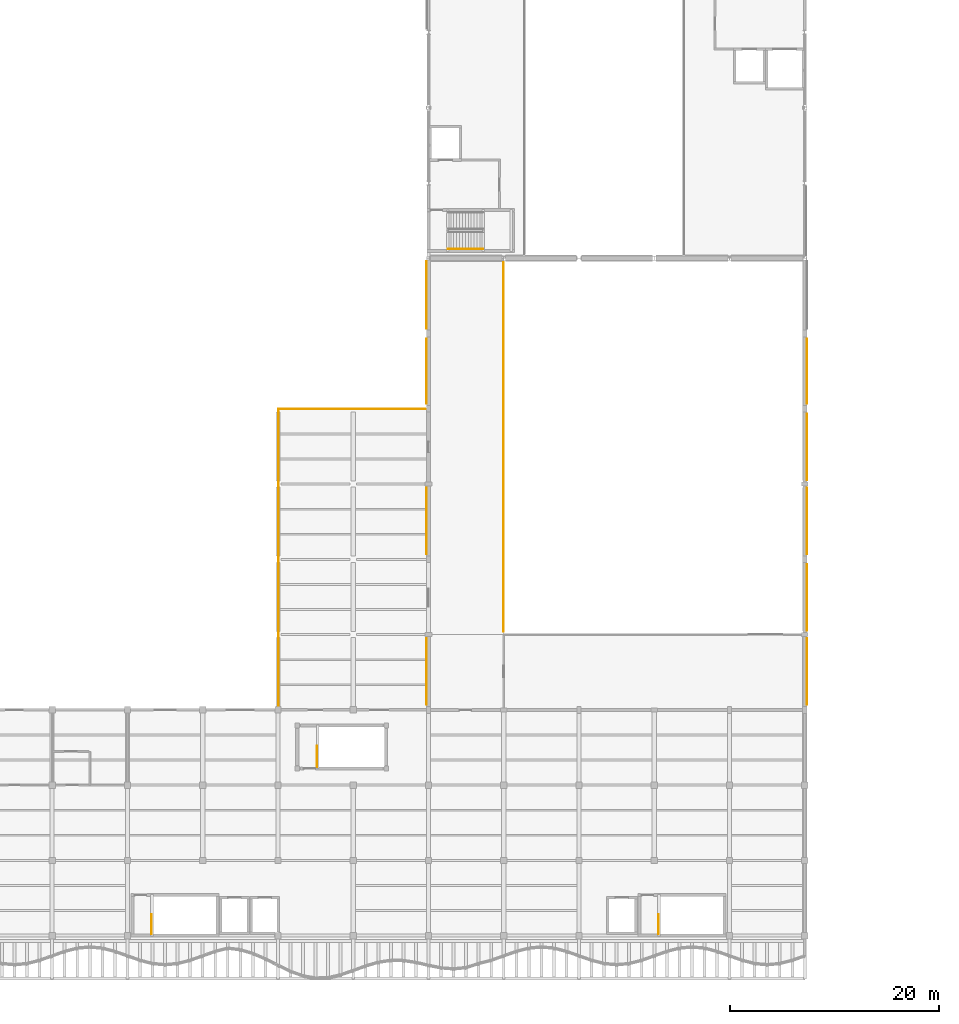
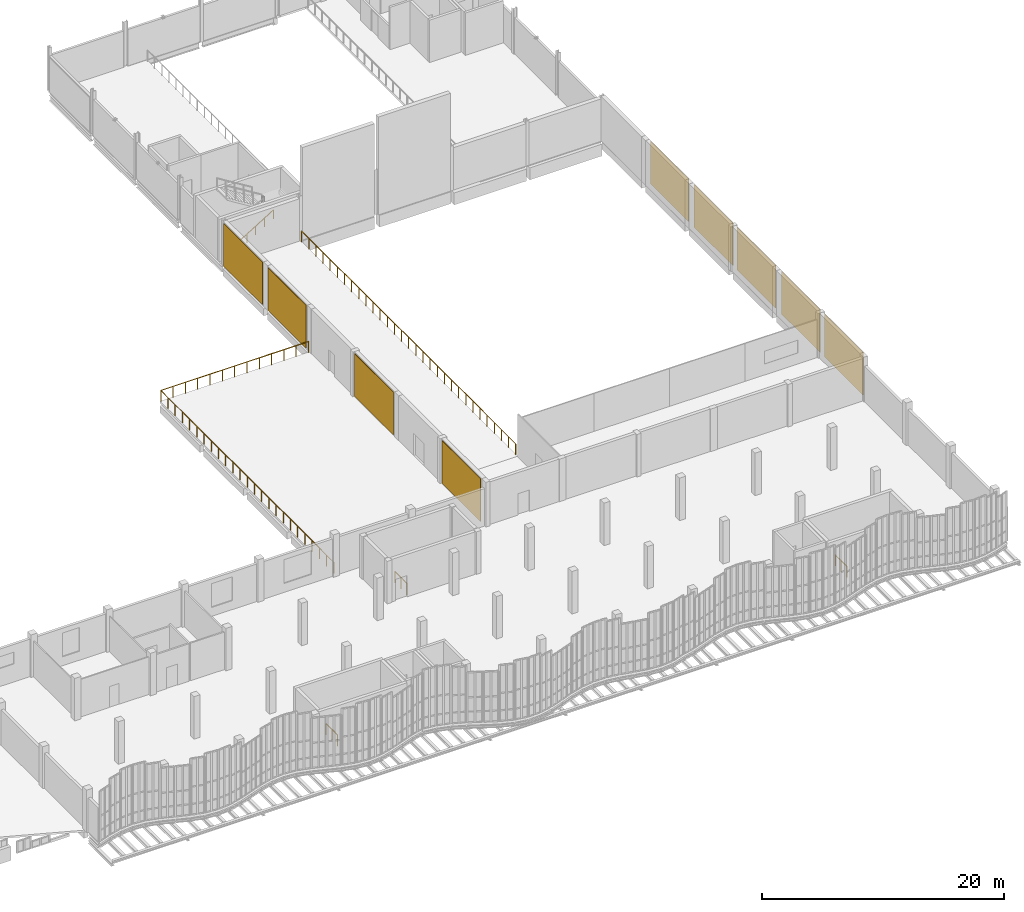
# One storey, part 71 of 76: 9 coverings, 6 railings.
"""IFC4 building model written with IfcOpenShell, lengths in metres."""

from ifc_helpers import new_model, si_unit, direction, frame, origin, origin_2d, place, context, subcontext, project, spatial, rectangle, circle, extrude, material, layer, layer_set, type_object, element, save


model = new_model("IFC4")

# Units and contexts
model_context = context("Model", 3, precision=1e-05, world=origin(), true_north=direction((0.0, 1.0)))
body_context = subcontext(model_context, "Body", "Model", "MODEL_VIEW")
ifc_project = project(units=[si_unit("LENGTHUNIT", "METRE"), si_unit("AREAUNIT", "SQUARE_METRE"), si_unit("VOLUMEUNIT", "CUBIC_METRE"), si_unit("PLANEANGLEUNIT", "RADIAN"), si_unit("MASSUNIT", "GRAM", prefix="KILO"), si_unit("THERMODYNAMICTEMPERATUREUNIT", "KELVIN"), si_unit("POWERUNIT", "WATT")], contexts=[model_context])

# Site, building, storey
site_placement = place(None, origin())
site = spatial("IfcSite", under=ifc_project, at=site_placement, CompositionType="ELEMENT")
building_placement = place(site_placement, origin())
building = spatial("IfcBuilding", under=site, at=building_placement, Name="Kaldorven Railside Theatre", CompositionType="ELEMENT")
storey_placement = place(building_placement, frame((0.0, 0.0, 14.39990234375)))
storey = spatial("IfcBuildingStorey", under=building, at=storey_placement, Name="L03", CompositionType="ELEMENT", Elevation=14.39990234375)

# Coverings
ifc_material_1 = material(Name="Bush-hammered precast concrete C40/50", Category="concrete")
ifc_layer = layer(ifc_material_1, 0.050048828125, Name="Bush-hammered precast concrete C40/50")
ifc_layer_set = layer_set([ifc_layer], Name="Bush-hammered precast concrete C40/50")
covering_type = type_object("IfcCoveringType", Name="COV-CLD-01", PredefinedType="CLADDING", material=ifc_layer_set)
for number, where, z_axis, x_axis, name in (
    (1, (86.989013671875, 44.46240234375, 0.10009765625), (0.0, 0.0, 1.0), (0.0, 1.0, 0.0), "Bush-Hammered Laterite Rainscreen Panel CLD-019"),
    (2, (86.989013671875, 58.862548828125, 0.10009765625), (0.0, 0.0, 1.0), (0.0, 1.0, 0.0), "Bush-Hammered Laterite Rainscreen Panel CLD-020"),
):
    element("IfcCovering", number, at=place(storey_placement, frame(where, z_axis=z_axis, x_axis=x_axis)), inside=storey, type_object=covering_type, Name=name, PredefinedType="CLADDING", context=body_context, shape_type="SweptSolid", body=[
        extrude(rectangle(XDim=6.375, YDim=0.050048828125, at=origin_2d()), origin(), (0.0, 0.0, 1.0), 4.300048828125),
    ])
covering_1_placement = place(storey_placement, frame((86.989013671875, 73.199951171875, 0.10009765625), z_axis=(0.0, 0.0, 1.0), x_axis=(0.0, 1.0, 0.0)))
element("IfcCovering", 3, at=covering_1_placement, inside=storey, type_object=covering_type, Name="Bush-Hammered Laterite Rainscreen Panel CLD-021", PredefinedType="CLADDING", context=body_context, shape_type="SweptSolid", body=[
    extrude(rectangle(XDim=6.25, YDim=0.050048828125, at=origin_2d()), origin(), (0.0, 0.0, 1.0), 4.300048828125),
])
covering_2_placement = place(storey_placement, frame((86.989013671875, 80.485107421875, 0.10009765625), z_axis=(0.0, 0.0, 1.0), x_axis=(0.0, 1.0, 0.0)))
element("IfcCovering", 4, at=covering_2_placement, inside=storey, type_object=covering_type, Name="Bush-Hammered Laterite Rainscreen Panel CLD-022", PredefinedType="CLADDING", context=body_context, shape_type="SweptSolid", body=[
    extrude(rectangle(XDim=6.419921875, YDim=0.050048828125, at=origin_2d()), origin(), (0.0, 0.0, 1.0), 4.300048828125),
])
covering_3_placement = place(storey_placement, frame((123.410888671875, 73.199951171875, 0.10009765625), z_axis=(0.0, 0.0, 1.0), x_axis=(0.0, -1.0, 0.0)))
element("IfcCovering", 5, at=covering_3_placement, inside=storey, type_object=covering_type, Name="Bush-Hammered Laterite Rainscreen Panel CLD-024", PredefinedType="CLADDING", context=body_context, shape_type="SweptSolid", body=[
    extrude(rectangle(XDim=6.25, YDim=0.050048828125, at=origin_2d()), origin(), (0.0, 0.0, 1.0), 4.300048828125),
])
for number, where, z_axis, x_axis, name in (
    (6, (123.410888671875, 65.9375, 0.10009765625), (0.0, 0.0, 1.0), (0.0, -1.0, 0.0), "Bush-Hammered Laterite Rainscreen Panel CLD-025"),
    (7, (123.410888671875, 58.862548828125, 0.10009765625), (0.0, 0.0, 1.0), (0.0, -1.0, 0.0), "Bush-Hammered Laterite Rainscreen Panel CLD-026"),
    (8, (123.410888671875, 51.53759765625, 0.10009765625), (0.0, 0.0, 1.0), (0.0, -1.0, 0.0), "Bush-Hammered Laterite Rainscreen Panel CLD-027"),
    (9, (123.410888671875, 44.46240234375, 0.10009765625), (0.0, 0.0, 1.0), (0.0, -1.0, 0.0), "Bush-Hammered Laterite Rainscreen Panel CLD-028"),
):
    element("IfcCovering", number, at=place(storey_placement, frame(where, z_axis=z_axis, x_axis=x_axis)), inside=storey, type_object=covering_type, Name=name, PredefinedType="CLADDING", context=body_context, shape_type="SweptSolid", body=[
        extrude(rectangle(XDim=6.375, YDim=0.050048828125, at=origin_2d()), origin(), (0.0, 0.0, 1.0), 4.300048828125),
    ])

# Railings
ifc_material_2 = material(Name="Anodised bronze aluminium", Category="aluminium")
railing_type_1 = type_object("IfcRailingType", Name="RLG-BAL-1100", PredefinedType="BALUSTRADE", material=ifc_material_2)
railing_1_placement = place(storey_placement, frame((72.840087890625, 41.026123046875, 0.0)))
element("IfcRailing", 10, at=railing_1_placement, inside=storey, type_object=railing_type_1, Name="L03 Safety Balustrade GR-124", PredefinedType="BALUSTRADE", context=body_context, shape_type="SweptSolid", body=[
    extrude(circle(Radius=0.02392578125, at=origin_2d()), frame((0.0, 0.0, 1.09619140625), z_axis=(0.0, 1.0, 0.0), x_axis=(-1.0, 0.0, 0.0)), (0.0, 0.0, 1.0), 28.533935546875),
    extrude(circle(Radius=0.02392578125, at=origin_2d()), frame((0.0, 28.533935546875, 1.09619140625), z_axis=(1.0, 0.0, 0.0), x_axis=(0.0, 1.0, 0.0)), (0.0, 0.0, 1.0), 14.0654296875),
    extrude(circle(Radius=0.02099609375, at=origin_2d()), origin(), (0.0, 0.0, 1.0), 1.072021484375),
    extrude(circle(Radius=0.02099609375, at=origin_2d()), frame((0.0, 1.18896484375, 0.0)), (0.0, 0.0, 1.0), 1.072021484375),
    extrude(circle(Radius=0.02099609375, at=origin_2d()), frame((0.0, 2.3779296875, 0.0)), (0.0, 0.0, 1.0), 1.072021484375),
    extrude(circle(Radius=0.02099609375, at=origin_2d()), frame((0.0, 3.566650390625, 0.0)), (0.0, 0.0, 1.0), 1.072021484375),
    extrude(circle(Radius=0.02099609375, at=origin_2d()), frame((0.0, 4.755615234375, 0.0)), (0.0, 0.0, 1.0), 1.072021484375),
    extrude(circle(Radius=0.02099609375, at=origin_2d()), frame((0.0, 5.944580078125, 0.0)), (0.0, 0.0, 1.0), 1.072021484375),
    extrude(circle(Radius=0.02099609375, at=origin_2d()), frame((0.0, 7.133544921875, 0.0)), (0.0, 0.0, 1.0), 1.072021484375),
    extrude(circle(Radius=0.02099609375, at=origin_2d()), frame((0.0, 8.322509765625, 0.0)), (0.0, 0.0, 1.0), 1.072021484375),
    extrude(circle(Radius=0.02099609375, at=origin_2d()), frame((0.0, 9.51123046875, 0.0)), (0.0, 0.0, 1.0), 1.072021484375),
    extrude(circle(Radius=0.02099609375, at=origin_2d()), frame((0.0, 10.7001953125, 0.0)), (0.0, 0.0, 1.0), 1.072021484375),
    extrude(circle(Radius=0.02099609375, at=origin_2d()), frame((0.0, 11.88916015625, 0.0)), (0.0, 0.0, 1.0), 1.072021484375),
    extrude(circle(Radius=0.02099609375, at=origin_2d()), frame((0.0, 13.078125, 0.0)), (0.0, 0.0, 1.0), 1.072021484375),
    extrude(circle(Radius=0.02099609375, at=origin_2d()), frame((0.0, 14.26708984375, 0.0)), (0.0, 0.0, 1.0), 1.072021484375),
    extrude(circle(Radius=0.02099609375, at=origin_2d()), frame((0.0, 15.455810546875, 0.0)), (0.0, 0.0, 1.0), 1.072021484375),
    extrude(circle(Radius=0.02099609375, at=origin_2d()), frame((0.0, 16.644775390625, 0.0)), (0.0, 0.0, 1.0), 1.072021484375),
    extrude(circle(Radius=0.02099609375, at=origin_2d()), frame((0.0, 17.833740234375, 0.0)), (0.0, 0.0, 1.0), 1.072021484375),
    extrude(circle(Radius=0.02099609375, at=origin_2d()), frame((0.0, 19.022705078125, 0.0)), (0.0, 0.0, 1.0), 1.072021484375),
    extrude(circle(Radius=0.02099609375, at=origin_2d()), frame((0.0, 20.21142578125, 0.0)), (0.0, 0.0, 1.0), 1.072021484375),
    extrude(circle(Radius=0.02099609375, at=origin_2d()), frame((0.0, 21.400390625, 0.0)), (0.0, 0.0, 1.0), 1.072021484375),
    extrude(circle(Radius=0.02099609375, at=origin_2d()), frame((0.0, 22.58935546875, 0.0)), (0.0, 0.0, 1.0), 1.072021484375),
    extrude(circle(Radius=0.02099609375, at=origin_2d()), frame((0.0, 23.7783203125, 0.0)), (0.0, 0.0, 1.0), 1.072021484375),
    extrude(circle(Radius=0.02099609375, at=origin_2d()), frame((0.0, 24.96728515625, 0.0)), (0.0, 0.0, 1.0), 1.072021484375),
    extrude(circle(Radius=0.02099609375, at=origin_2d()), frame((0.0, 26.156005859375, 0.0)), (0.0, 0.0, 1.0), 1.072021484375),
    extrude(circle(Radius=0.02099609375, at=origin_2d()), frame((0.0, 27.344970703125, 0.0)), (0.0, 0.0, 1.0), 1.072021484375),
    extrude(circle(Radius=0.02099609375, at=origin_2d()), frame((0.0, 28.533935546875, 0.0)), (0.0, 0.0, 1.0), 1.072021484375),
    extrude(circle(Radius=0.02099609375, at=origin_2d()), frame((1.172119140625, 28.533935546875, 0.0)), (0.0, 0.0, 1.0), 1.072021484375),
    extrude(circle(Radius=0.02099609375, at=origin_2d()), frame((2.34423828125, 28.533935546875, 0.0)), (0.0, 0.0, 1.0), 1.072021484375),
    extrude(circle(Radius=0.02099609375, at=origin_2d()), frame((3.516357421875, 28.533935546875, 0.0)), (0.0, 0.0, 1.0), 1.072021484375),
    extrude(circle(Radius=0.02099609375, at=origin_2d()), frame((4.6884765625, 28.533935546875, 0.0)), (0.0, 0.0, 1.0), 1.072021484375),
    extrude(circle(Radius=0.02099609375, at=origin_2d()), frame((5.860595703125, 28.533935546875, 0.0)), (0.0, 0.0, 1.0), 1.072021484375),
    extrude(circle(Radius=0.02099609375, at=origin_2d()), frame((7.03271484375, 28.533935546875, 0.0)), (0.0, 0.0, 1.0), 1.072021484375),
    extrude(circle(Radius=0.02099609375, at=origin_2d()), frame((8.204833984375, 28.533935546875, 0.0)), (0.0, 0.0, 1.0), 1.072021484375),
    extrude(circle(Radius=0.02099609375, at=origin_2d()), frame((9.376953125, 28.533935546875, 0.0)), (0.0, 0.0, 1.0), 1.072021484375),
    extrude(circle(Radius=0.02099609375, at=origin_2d()), frame((10.549072265625, 28.533935546875, 0.0)), (0.0, 0.0, 1.0), 1.072021484375),
    extrude(circle(Radius=0.02099609375, at=origin_2d()), frame((11.72119140625, 28.533935546875, 0.0)), (0.0, 0.0, 1.0), 1.072021484375),
    extrude(circle(Radius=0.02099609375, at=origin_2d()), frame((12.893310546875, 28.533935546875, 0.0)), (0.0, 0.0, 1.0), 1.072021484375),
    extrude(circle(Radius=0.02099609375, at=origin_2d()), frame((14.0654296875, 28.533935546875, 0.0)), (0.0, 0.0, 1.0), 1.072021484375),
])
railing_2_placement = place(storey_placement, frame((94.360107421875, 83.59521484375, 0.0)))
element("IfcRailing", 11, at=railing_2_placement, inside=storey, type_object=railing_type_1, Name="L03 Safety Balustrade GR-126", PredefinedType="BALUSTRADE", context=body_context, shape_type="SweptSolid", body=[
    extrude(circle(Radius=0.02392578125, at=origin_2d()), frame((0.0, 0.0, 1.09619140625), z_axis=(0.0, -1.0, 0.0), x_axis=(1.0, 0.0, 0.0)), (0.0, 0.0, 1.0), 35.318359375),
    extrude(circle(Radius=0.02099609375, at=origin_2d()), origin(), (0.0, 0.0, 1.0), 1.072021484375),
    extrude(circle(Radius=0.02099609375, at=origin_2d()), frame((0.0, -1.17724609375, 0.0)), (0.0, 0.0, 1.0), 1.072021484375),
    extrude(circle(Radius=0.02099609375, at=origin_2d()), frame((0.0, -2.3544921875, 0.0)), (0.0, 0.0, 1.0), 1.072021484375),
    extrude(circle(Radius=0.02099609375, at=origin_2d()), frame((0.0, -3.53173828125, 0.0)), (0.0, 0.0, 1.0), 1.072021484375),
    extrude(circle(Radius=0.02099609375, at=origin_2d()), frame((0.0, -4.709228515625, 0.0)), (0.0, 0.0, 1.0), 1.072021484375),
    extrude(circle(Radius=0.02099609375, at=origin_2d()), frame((0.0, -5.886474609375, 0.0)), (0.0, 0.0, 1.0), 1.072021484375),
    extrude(circle(Radius=0.02099609375, at=origin_2d()), frame((0.0, -7.063720703125, 0.0)), (0.0, 0.0, 1.0), 1.072021484375),
    extrude(circle(Radius=0.02099609375, at=origin_2d()), frame((0.0, -8.240966796875, 0.0)), (0.0, 0.0, 1.0), 1.072021484375),
    extrude(circle(Radius=0.02099609375, at=origin_2d()), frame((0.0, -9.418212890625, 0.0)), (0.0, 0.0, 1.0), 1.072021484375),
    extrude(circle(Radius=0.02099609375, at=origin_2d()), frame((0.0, -10.595458984375, 0.0)), (0.0, 0.0, 1.0), 1.072021484375),
    extrude(circle(Radius=0.02099609375, at=origin_2d()), frame((0.0, -11.772705078125, 0.0)), (0.0, 0.0, 1.0), 1.072021484375),
    extrude(circle(Radius=0.02099609375, at=origin_2d()), frame((0.0, -12.949951171875, 0.0)), (0.0, 0.0, 1.0), 1.072021484375),
    extrude(circle(Radius=0.02099609375, at=origin_2d()), frame((0.0, -14.12744140625, 0.0)), (0.0, 0.0, 1.0), 1.072021484375),
    extrude(circle(Radius=0.02099609375, at=origin_2d()), frame((0.0, -15.3046875, 0.0)), (0.0, 0.0, 1.0), 1.072021484375),
    extrude(circle(Radius=0.02099609375, at=origin_2d()), frame((0.0, -16.48193359375, 0.0)), (0.0, 0.0, 1.0), 1.072021484375),
    extrude(circle(Radius=0.02099609375, at=origin_2d()), frame((0.0, -17.6591796875, 0.0)), (0.0, 0.0, 1.0), 1.072021484375),
    extrude(circle(Radius=0.02099609375, at=origin_2d()), frame((0.0, -18.83642578125, 0.0)), (0.0, 0.0, 1.0), 1.072021484375),
    extrude(circle(Radius=0.02099609375, at=origin_2d()), frame((0.0, -20.013671875, 0.0)), (0.0, 0.0, 1.0), 1.072021484375),
    extrude(circle(Radius=0.02099609375, at=origin_2d()), frame((0.0, -21.19091796875, 0.0)), (0.0, 0.0, 1.0), 1.072021484375),
    extrude(circle(Radius=0.02099609375, at=origin_2d()), frame((0.0, -22.368408203125, 0.0)), (0.0, 0.0, 1.0), 1.072021484375),
    extrude(circle(Radius=0.02099609375, at=origin_2d()), frame((0.0, -23.545654296875, 0.0)), (0.0, 0.0, 1.0), 1.072021484375),
    extrude(circle(Radius=0.02099609375, at=origin_2d()), frame((0.0, -24.722900390625, 0.0)), (0.0, 0.0, 1.0), 1.072021484375),
    extrude(circle(Radius=0.02099609375, at=origin_2d()), frame((0.0, -25.900146484375, 0.0)), (0.0, 0.0, 1.0), 1.072021484375),
    extrude(circle(Radius=0.02099609375, at=origin_2d()), frame((0.0, -27.077392578125, 0.0)), (0.0, 0.0, 1.0), 1.072021484375),
    extrude(circle(Radius=0.02099609375, at=origin_2d()), frame((0.0, -28.254638671875, 0.0)), (0.0, 0.0, 1.0), 1.072021484375),
    extrude(circle(Radius=0.02099609375, at=origin_2d()), frame((0.0, -29.431884765625, 0.0)), (0.0, 0.0, 1.0), 1.072021484375),
    extrude(circle(Radius=0.02099609375, at=origin_2d()), frame((0.0, -30.609130859375, 0.0)), (0.0, 0.0, 1.0), 1.072021484375),
    extrude(circle(Radius=0.02099609375, at=origin_2d()), frame((0.0, -31.78662109375, 0.0)), (0.0, 0.0, 1.0), 1.072021484375),
    extrude(circle(Radius=0.02099609375, at=origin_2d()), frame((0.0, -32.9638671875, 0.0)), (0.0, 0.0, 1.0), 1.072021484375),
    extrude(circle(Radius=0.02099609375, at=origin_2d()), frame((0.0, -34.14111328125, 0.0)), (0.0, 0.0, 1.0), 1.072021484375),
    extrude(circle(Radius=0.02099609375, at=origin_2d()), frame((0.0, -35.318359375, 0.0)), (0.0, 0.0, 1.0), 1.072021484375),
])
ifc_material_3 = material(Name="Steel S355", Category="steel")
railing_type_2 = type_object("IfcRailingType", Name="RLG-STG-1100", PredefinedType="BALUSTRADE", material=ifc_material_3)
for number, where, name in (
    (12, (60.699951171875, 19.35009765625, 0.0), "L03 ST-03 top well guard 1"),
    (13, (109.199951171875, 19.35009765625, 0.0), "L03 ST-04 top well guard 1"),
):
    element("IfcRailing", number, at=place(storey_placement, frame(where)), inside=storey, type_object=railing_type_2, Name=name, PredefinedType="BALUSTRADE", context=body_context, shape_type="SweptSolid", body=[
        extrude(circle(Radius=0.02392578125, at=origin_2d()), frame((0.0, 0.0, 1.09619140625), z_axis=(0.0, 1.0, 0.0), x_axis=(-1.0, 0.0, 0.0)), (0.0, 0.0, 1.0), 1.89990234375),
        extrude(circle(Radius=0.02099609375, at=origin_2d()), origin(), (0.0, 0.0, 1.0), 1.072021484375),
        extrude(circle(Radius=0.02099609375, at=origin_2d()), frame((0.0, 0.949951171875, 0.0)), (0.0, 0.0, 1.0), 1.072021484375),
        extrude(circle(Radius=0.02099609375, at=origin_2d()), frame((0.0, 1.89990234375, 0.0)), (0.0, 0.0, 1.0), 1.072021484375),
    ])
railing_3_placement = place(storey_placement, frame((76.550048828125, 35.35009765625, 0.0)))
element("IfcRailing", 14, at=railing_3_placement, inside=storey, type_object=railing_type_2, Name="L03 ST-07 top well guard 1", PredefinedType="BALUSTRADE", context=body_context, shape_type="SweptSolid", body=[
    extrude(circle(Radius=0.02392578125, at=origin_2d()), frame((0.0, 0.0, 1.09619140625), z_axis=(0.0, 1.0, 0.0), x_axis=(-1.0, 0.0, 0.0)), (0.0, 0.0, 1.0), 2.0),
    extrude(circle(Radius=0.02099609375, at=origin_2d()), origin(), (0.0, 0.0, 1.0), 1.072021484375),
    extrude(circle(Radius=0.02099609375, at=origin_2d()), frame((0.0, 1.0, 0.0)), (0.0, 0.0, 1.0), 1.072021484375),
    extrude(circle(Radius=0.02099609375, at=origin_2d()), frame((0.0, 2.0, 0.0)), (0.0, 0.0, 1.0), 1.072021484375),
])
railing_type_3 = type_object("IfcRailingType", Name="RLG-STH-900", PredefinedType="HANDRAIL", material=ifc_material_3)
railing_4_placement = place(storey_placement, frame((89.050048828125, 84.89990234375, 0.173095703125)))
element("IfcRailing", 15, at=railing_4_placement, inside=storey, type_object=railing_type_3, Name="L03 ST-05 stair handrail 1", PredefinedType="HANDRAIL", context=body_context, shape_type="SweptSolid", body=[
    extrude(circle(Radius=0.02392578125, at=origin_2d()), frame((0.0, 0.0, 0.8759765625), z_axis=(0.850606129759, 0.0, 0.525803396734), x_axis=(0.0, 1.0, 0.0)), (0.0, 0.0, 1.0), 3.949951171875),
    extrude(circle(Radius=0.02099609375, at=origin_2d()), origin(), (0.0, 0.0, 1.0), 0.851806640625),
    extrude(circle(Radius=0.02099609375, at=origin_2d()), frame((0.83984375, 0.0, 0.519287109375)), (0.0, 0.0, 1.0), 0.851806640625),
    extrude(circle(Radius=0.02099609375, at=origin_2d()), frame((1.679931640625, 0.0, 1.03857421875)), (0.0, 0.0, 1.0), 0.851806640625),
    extrude(circle(Radius=0.02099609375, at=origin_2d()), frame((2.52001953125, 0.0, 1.5576171875)), (0.0, 0.0, 1.0), 0.851806640625),
    extrude(circle(Radius=0.02099609375, at=origin_2d()), frame((3.35986328125, 0.0, 2.076904296875)), (0.0, 0.0, 1.0), 0.851806640625),
])

save(model, "model.ifc")
